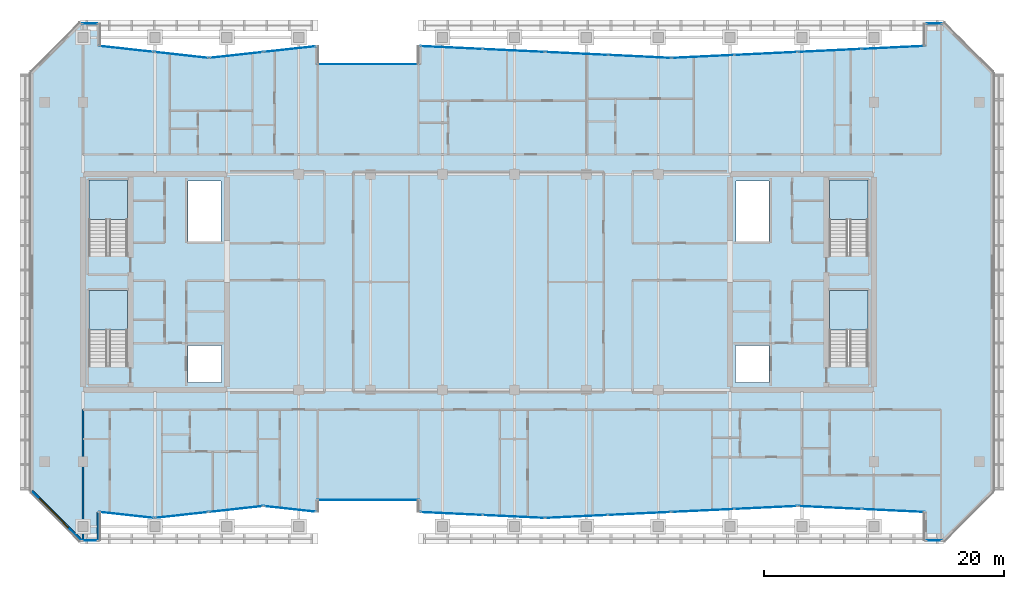
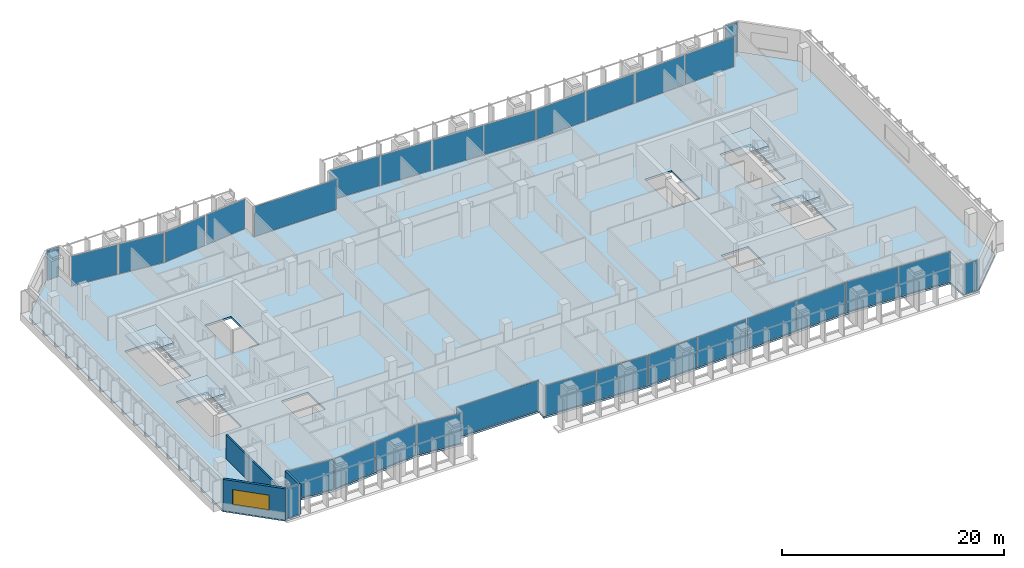
# One storey, part 18 of 29: 30 plates, 5 slabs, 3 walls, 1 window, 1 opening, 26 elements without a shape of their own.
"""IFC4 building model written with IfcOpenShell, lengths in metres."""

from ifc_helpers import new_model, si_unit, direction, frame, frame_2d, origin, origin_2d, place, context, subcontext, project, spatial, polyline, rectangle, outline, extrude, material, layer, layer_set, type_object, element, fill, aggregate, save


model = new_model("IFC4")

# Units and contexts
model_context = context("Model", 3, precision=1e-05, world=origin(), true_north=direction((0.0, 1.0)))
body_context = subcontext(model_context, "Body", "Model", "MODEL_VIEW")
ifc_project = project(units=[si_unit("LENGTHUNIT", "METRE"), si_unit("AREAUNIT", "SQUARE_METRE"), si_unit("VOLUMEUNIT", "CUBIC_METRE"), si_unit("PLANEANGLEUNIT", "RADIAN"), si_unit("MASSUNIT", "GRAM", prefix="KILO")], contexts=[model_context])

# Site, building, storey
site_placement = place(None, origin())
site = spatial("IfcSite", under=ifc_project, at=site_placement, CompositionType="ELEMENT")
building_placement = place(site_placement, origin())
building = spatial("IfcBuilding", under=site, at=building_placement, Name="Tanjung Sevakor Pilgrim Tower", CompositionType="ELEMENT")
storey_placement = place(building_placement, frame((0.0, 0.0, 162.030029296875)))
storey = spatial("IfcBuildingStorey", under=building, at=storey_placement, Name="L45", CompositionType="ELEMENT", Elevation=162.030029296875)

# Stair, slab
ifc_material_1 = material(Name="Concrete C40/50", Category="concrete")
stair_type = type_object("IfcStairType", Name="STAIR-ST-CR150", PredefinedType="HALF_TURN_STAIR", material=ifc_material_1)
stair_1_placement = place(storey_placement, origin())
stair_1 = element("IfcStair", 1, at=stair_1_placement, inside=storey, type_object=stair_type, Name="L45 West Core Exit Stair 1", PredefinedType="HALF_TURN_STAIR")
ifc_material_2 = material(Name="Concrete C40/50", Category="concrete")
ifc_layer_1 = layer(ifc_material_2, 0.199951171875)
ifc_layer_set_1 = layer_set([ifc_layer_1], Name="SL-LAND-200")
slab_type_1 = type_object("IfcSlabType", Name="SL-LAND-200", PredefinedType="LANDING", material=ifc_layer_set_1)
slab_1_placement = place(storey_placement, frame((0.0, 0.0, 1.614990234375)))
slab_1 = element("IfcSlab", 2, at=slab_1_placement, type_object=slab_type_1, Name="TS-W1 landing 1", PredefinedType="LANDING", context=body_context, shape_type="SweptSolid", body=[
    extrude(outline(polyline([(27.699951171875, 29.60009765625), (27.699951171875, 32.89990234375), (24.5, 32.89990234375), (24.5, 29.60009765625), (27.699951171875, 29.60009765625)])), origin(), (0.0, 0.0, 1.0), 0.199951171875),
])
aggregate(stair_1, [slab_1])

stair_2_placement = place(storey_placement, origin())
stair_2 = element("IfcStair", 3, at=stair_2_placement, inside=storey, type_object=stair_type, Name="L45 West Core Exit Stair 2", PredefinedType="HALF_TURN_STAIR")
slab_2_placement = place(storey_placement, frame((0.0, 0.0, 1.614990234375)))
slab_2 = element("IfcSlab", 4, at=slab_2_placement, type_object=slab_type_1, Name="TS-W2 landing 1", PredefinedType="LANDING", context=body_context, shape_type="SweptSolid", body=[
    extrude(outline(polyline([(27.699951171875, 38.800048828125), (27.699951171875, 42.10009765625), (24.5, 42.10009765625), (24.5, 38.800048828125), (27.699951171875, 38.800048828125)])), origin(), (0.0, 0.0, 1.0), 0.199951171875),
])
aggregate(stair_2, [slab_2])

stair_3_placement = place(storey_placement, origin())
stair_3 = element("IfcStair", 5, at=stair_3_placement, inside=storey, type_object=stair_type, Name="L45 East Core Exit Stair 1", PredefinedType="HALF_TURN_STAIR")
slab_3_placement = place(storey_placement, frame((0.0, 0.0, 1.614990234375)))
slab_3 = element("IfcSlab", 6, at=slab_3_placement, type_object=slab_type_1, Name="TS-E1 landing 1", PredefinedType="LANDING", context=body_context, shape_type="SweptSolid", body=[
    extrude(outline(polyline([(89.5, 29.60009765625), (89.5, 32.89990234375), (86.300048828125, 32.89990234375), (86.300048828125, 29.60009765625), (89.5, 29.60009765625)])), origin(), (0.0, 0.0, 1.0), 0.199951171875),
])
aggregate(stair_3, [slab_3])

stair_4_placement = place(storey_placement, origin())
stair_4 = element("IfcStair", 7, at=stair_4_placement, inside=storey, type_object=stair_type, Name="L45 East Core Exit Stair 2", PredefinedType="HALF_TURN_STAIR")
slab_4_placement = place(storey_placement, frame((0.0, 0.0, 1.614990234375)))
slab_4 = element("IfcSlab", 8, at=slab_4_placement, type_object=slab_type_1, Name="TS-E2 landing 1", PredefinedType="LANDING", context=body_context, shape_type="SweptSolid", body=[
    extrude(outline(polyline([(89.5, 38.800048828125), (89.5, 42.10009765625), (86.300048828125, 42.10009765625), (86.300048828125, 38.800048828125), (89.5, 38.800048828125)])), origin(), (0.0, 0.0, 1.0), 0.199951171875),
])
aggregate(stair_4, [slab_4])

# Slab
ifc_material_3 = material(Name="Concrete C40/50", Category="concrete")
ifc_layer_2 = layer(ifc_material_3, 0.219970703125)
ifc_layer_set_2 = layer_set([ifc_layer_2], Name="SL-TWR-220")
slab_type_2 = type_object("IfcSlabType", Name="SL-TWR-220", PredefinedType="FLOOR", material=ifc_layer_set_2)
slab_5_placement = place(storey_placement, frame((0.0, 0.0, -0.219970703125)))
element("IfcSlab", 9, at=slab_5_placement, inside=storey, type_object=slab_type_2, Name="L45 Floor Slab MAIN", PredefinedType="FLOOR", context=body_context, shape_type="SweptSolid", body=[
    extrude(outline(polyline([(23.846923828125, 11.97998046875), (25.320068359375, 11.97998046875), (25.39990234375, 14.360107421875), (29.949951171875, 13.860107421875), (34.5, 14.360107421875), (39.050048828125, 14.860107421875), (43.60009765625, 14.360107421875), (43.52001953125, 15.3798828125), (52.080078125, 15.3798828125), (52.0, 14.360107421875), (62.550048828125, 13.860107421875), (73.10009765625, 14.360107421875), (83.64990234375, 14.860107421875), (94.199951171875, 14.360107421875), (94.280029296875, 11.97998046875), (95.753173828125, 11.97998046875), (99.919921875, 16.14697265625), (99.919921875, 51.052978515625), (95.753173828125, 55.219970703125), (94.280029296875, 55.219970703125), (94.199951171875, 53.340087890625), (83.64990234375, 52.840087890625), (73.10009765625, 52.340087890625), (62.550048828125, 52.840087890625), (52.0, 53.340087890625), (52.080078125, 51.820068359375), (43.52001953125, 51.820068359375), (43.60009765625, 53.340087890625), (39.050048828125, 52.840087890625), (34.5, 52.340087890625), (29.949951171875, 52.840087890625), (25.39990234375, 53.340087890625), (25.320068359375, 55.219970703125), (23.846923828125, 55.219970703125), (19.679931640625, 51.052978515625), (19.679931640625, 16.14697265625), (23.846923828125, 11.97998046875)]), holes=[polyline([(27.699951171875, 26.60009765625), (27.699951171875, 32.89990234375), (24.5, 32.89990234375), (24.5, 26.60009765625), (27.699951171875, 26.60009765625)]), polyline([(27.699951171875, 35.800048828125), (27.699951171875, 42.10009765625), (24.5, 42.10009765625), (24.5, 35.800048828125), (27.699951171875, 35.800048828125)]), polyline([(89.5, 26.60009765625), (89.5, 32.89990234375), (86.300048828125, 32.89990234375), (86.300048828125, 26.60009765625), (89.5, 26.60009765625)]), polyline([(89.5, 35.800048828125), (89.5, 42.10009765625), (86.300048828125, 42.10009765625), (86.300048828125, 35.800048828125), (89.5, 35.800048828125)]), polyline([(32.75, 25.199951171875), (35.550048828125, 25.199951171875), (35.550048828125, 28.300048828125), (32.75, 28.300048828125), (32.75, 25.199951171875)]), polyline([(32.75, 37.0), (35.5, 37.0), (35.5, 42.050048828125), (32.75, 42.050048828125), (32.75, 37.0)]), polyline([(78.449951171875, 25.199951171875), (81.25, 25.199951171875), (81.25, 28.300048828125), (78.449951171875, 28.300048828125), (78.449951171875, 25.199951171875)]), polyline([(78.5, 37.0), (81.25, 37.0), (81.25, 42.050048828125), (78.5, 42.050048828125), (78.5, 37.0)])]), origin(), (0.0, 0.0, 1.0), 0.219970703125),
])

# Curtain wall, plate
ifc_material_4 = material(Name="Aluminium 6063-T6 and Low-E Glass", Category="aluminium")
ifc_layer_3 = layer(ifc_material_4, 0.179931640625)
ifc_layer_set_3 = layer_set([ifc_layer_3], Name="CW-SYS-CLEFT")
curtain_wall_type_1 = type_object("IfcCurtainWallType", Name="CW-SYS-CLEFT", PredefinedType="NOTDEFINED", material=ifc_layer_set_3)
curtain_wall_1_placement = place(storey_placement, origin())
curtain_wall_1 = element("IfcCurtainWall", 10, at=curtain_wall_1_placement, inside=storey, type_object=curtain_wall_type_1, Name="L45 Curtain Wall CW-CLF-L45-7", PredefinedType="NOTDEFINED")
ifc_material_5 = material(Name="Laminated Low-E Double Glazing", Category="glass")
ifc_layer_4 = layer(ifc_material_5, 0.028076171875)
ifc_layer_set_4 = layer_set([ifc_layer_4], Name="TYPE-CWP-GLZ1")
plate_type_1 = type_object("IfcPlateType", Name="TYPE-CWP-GLZ1", PredefinedType="CURTAIN_PANEL", material=ifc_layer_set_4)
plate_1_placement = place(storey_placement, frame((47.800048828125, 15.425048828125, 0.06494140625), z_axis=(0.0, 0.0, 1.0), x_axis=(1.0, 0.0, 0.0)))
plate_1 = element("IfcPlate", 11, at=plate_1_placement, type_object=plate_type_1, Name="CW-CLF panel 1.1", PredefinedType="CURTAIN_PANEL", context=body_context, shape_type="SweptSolid", body=[
    extrude(rectangle(XDim=8.5, YDim=0.028076171875, at=origin_2d()), origin(), (0.0, 0.0, 1.0), 3.280029296875),
])
aggregate(curtain_wall_1, [plate_1])

curtain_wall_2_placement = place(storey_placement, origin())
curtain_wall_2 = element("IfcCurtainWall", 12, at=curtain_wall_2_placement, inside=storey, type_object=curtain_wall_type_1, Name="L45 Curtain Wall CW-CLF-L45-25", PredefinedType="NOTDEFINED")
plate_2_placement = place(storey_placement, frame((47.800048828125, 51.77490234375, 0.06494140625), z_axis=(0.0, 0.0, 1.0), x_axis=(-1.0, 0.0, 0.0)))
plate_2 = element("IfcPlate", 13, at=plate_2_placement, type_object=plate_type_1, Name="CW-CLF panel 1.1", PredefinedType="CURTAIN_PANEL", context=body_context, shape_type="SweptSolid", body=[
    extrude(rectangle(XDim=8.5, YDim=0.028076171875, at=origin_2d()), origin(), (0.0, 0.0, 1.0), 3.280029296875),
])
aggregate(curtain_wall_2, [plate_2])

ifc_material_6 = material(Name="Aluminium 6063-T6 and Low-E Glass", Category="aluminium")
ifc_layer_5 = layer(ifc_material_6, 0.199951171875)
ifc_layer_set_5 = layer_set([ifc_layer_5], Name="CW-SYS-PRAY")
curtain_wall_type_2 = type_object("IfcCurtainWallType", Name="CW-SYS-PRAY", PredefinedType="NOTDEFINED", material=ifc_layer_set_5)
curtain_wall_3_placement = place(storey_placement, origin())
curtain_wall_3 = element("IfcCurtainWall", 14, at=curtain_wall_3_placement, inside=storey, type_object=curtain_wall_type_2, Name="L45 Curtain Wall CW-PRY-L45-0", PredefinedType="NOTDEFINED")
ifc_material_7 = material(Name="Solar-Control Low-E Acoustic Glazing", Category="glass")
ifc_layer_6 = layer(ifc_material_7, 0.031982421875)
ifc_layer_set_6 = layer_set([ifc_layer_6], Name="TYPE-CWP-GLZ2")
plate_type_2 = type_object("IfcPlateType", Name="TYPE-CWP-GLZ2", PredefinedType="CURTAIN_PANEL", material=ifc_layer_set_6)
plate_3_placement = place(storey_placement, frame((24.5634765625, 12.02490234375, 0.0751953125), z_axis=(0.0, 0.0, 1.0), x_axis=(1.0, 0.0, 0.0)))
plate_3 = element("IfcPlate", 15, at=plate_3_placement, type_object=plate_type_2, Name="CW-PRY panel 1.1", PredefinedType="CURTAIN_PANEL", context=body_context, shape_type="SweptSolid", body=[
    extrude(rectangle(XDim=1.273193359375, YDim=0.031982421875, at=origin_2d()), origin(), (0.0, 0.0, 1.0), 3.260009765625),
])
aggregate(curtain_wall_3, [plate_3])

curtain_wall_4_placement = place(storey_placement, origin())
curtain_wall_4 = element("IfcCurtainWall", 16, at=curtain_wall_4_placement, inside=storey, type_object=curtain_wall_type_2, Name="L45 Curtain Wall CW-PRY-L45-2", PredefinedType="NOTDEFINED")
plate_4_placement = place(storey_placement, frame((27.612548828125, 14.16259765625, 0.0751953125), z_axis=(0.0, 0.0, 1.0), x_axis=(0.994017059179, -0.109224933332, 0.0)))
plate_4 = element("IfcPlate", 17, at=plate_4_placement, type_object=plate_type_2, Name="CW-PRY panel 1.1", PredefinedType="CURTAIN_PANEL", context=body_context, shape_type="SweptSolid", body=[
    extrude(rectangle(XDim=4.55322265625, YDim=0.031982421875, at=origin_2d()), origin(), (0.0, 0.0, 1.0), 3.260009765625),
])
aggregate(curtain_wall_4, [plate_4])

curtain_wall_5_placement = place(storey_placement, origin())
curtain_wall_5 = element("IfcCurtainWall", 18, at=curtain_wall_5_placement, inside=storey, type_object=curtain_wall_type_2, Name="L45 Curtain Wall CW-PRY-L45-3", PredefinedType="NOTDEFINED")
plate_5_placement = place(storey_placement, frame((32.21826171875, 14.155029296875, 0.0751953125), z_axis=(0.0, 0.0, 1.0), x_axis=(0.994016091278, 0.109233741488, 0.0)))
plate_5 = element("IfcPlate", 19, at=plate_5_placement, type_object=plate_type_2, Name="CW-PRY panel 1.1", PredefinedType="CURTAIN_PANEL", context=body_context, shape_type="SweptSolid", body=[
    extrude(rectangle(XDim=4.41357421875, YDim=0.031982421875, at=origin_2d()), origin(), (0.0, 0.0, 1.0), 3.260009765625),
])
aggregate(curtain_wall_5, [plate_5])

curtain_wall_6_placement = place(storey_placement, origin())
curtain_wall_6 = element("IfcCurtainWall", 20, at=curtain_wall_6_placement, inside=storey, type_object=curtain_wall_type_2, Name="L45 Curtain Wall CW-PRY-L45-4", PredefinedType="NOTDEFINED")
plate_6_placement = place(storey_placement, frame((36.76806640625, 14.655029296875, 0.0751953125), z_axis=(0.0, 0.0, 1.0), x_axis=(0.994016351948, 0.109231369397, 0.0)))
plate_6 = element("IfcPlate", 21, at=plate_6_placement, type_object=plate_type_2, Name="CW-PRY panel 1.1", PredefinedType="CURTAIN_PANEL", context=body_context, shape_type="SweptSolid", body=[
    extrude(rectangle(XDim=4.441162109375, YDim=0.031982421875, at=origin_2d()), origin(), (0.0, 0.0, 1.0), 3.260009765625),
])
aggregate(curtain_wall_6, [plate_6])

curtain_wall_7_placement = place(storey_placement, origin())
curtain_wall_7 = element("IfcCurtainWall", 22, at=curtain_wall_7_placement, inside=storey, type_object=curtain_wall_type_2, Name="L45 Curtain Wall CW-PRY-L45-5", PredefinedType="NOTDEFINED")
plate_7_placement = place(storey_placement, frame((41.262451171875, 14.66259765625, 0.0751953125), z_axis=(0.0, 0.0, 1.0), x_axis=(0.994015337473, -0.109240600824, 0.0)))
plate_7 = element("IfcPlate", 23, at=plate_7_placement, type_object=plate_type_2, Name="CW-PRY panel 1.1", PredefinedType="CURTAIN_PANEL", context=body_context, shape_type="SweptSolid", body=[
    extrude(rectangle(XDim=4.3017578125, YDim=0.031982421875, at=origin_2d()), origin(), (0.0, 0.0, 1.0), 3.260009765625),
])
aggregate(curtain_wall_7, [plate_7])

# Curtain wall, plates
curtain_wall_8_placement = place(storey_placement, origin())
curtain_wall_8 = element("IfcCurtainWall", 24, at=curtain_wall_8_placement, inside=storey, type_object=curtain_wall_type_2, Name="L45 Curtain Wall CW-PRY-L45-9", PredefinedType="NOTDEFINED")
plate_8_placement = place(storey_placement, frame((54.75, 14.27490234375, 0.0751953125), z_axis=(0.0, 0.0, 1.0), x_axis=(0.998878713344, -0.047342539306, 0.0)))
plate_8 = element("IfcPlate", 25, at=plate_8_placement, type_object=plate_type_2, Name="CW-PRY panel 1.1", PredefinedType="CURTAIN_PANEL", context=body_context, shape_type="SweptSolid", body=[
    extrude(rectangle(XDim=5.10595703125, YDim=0.031982421875, at=origin_2d()), origin(), (0.0, 0.0, 1.0), 3.260009765625),
])
plate_9_placement = place(storey_placement, frame((59.925048828125, 14.029541015625, 0.0751953125), z_axis=(0.0, 0.0, 1.0), x_axis=(0.998878713344, -0.047342539306, 0.0)))
plate_9 = element("IfcPlate", 26, at=plate_9_placement, type_object=plate_type_2, Name="CW-PRY panel 2.1", PredefinedType="CURTAIN_PANEL", context=body_context, shape_type="SweptSolid", body=[
    extrude(rectangle(XDim=5.10595703125, YDim=0.031982421875, at=origin_2d()), origin(), (0.0, 0.0, 1.0), 3.260009765625),
])
aggregate(curtain_wall_8, [plate_8, plate_9])

curtain_wall_9_placement = place(storey_placement, origin())
curtain_wall_9 = element("IfcCurtainWall", 27, at=curtain_wall_9_placement, inside=storey, type_object=curtain_wall_type_2, Name="L45 Curtain Wall CW-PRY-L45-10", PredefinedType="NOTDEFINED")
plate_10_placement = place(storey_placement, frame((65.204833984375, 14.031005859375, 0.0751953125), z_axis=(0.0, 0.0, 1.0), x_axis=(0.998878466157, 0.047347754412, 0.0)))
plate_10 = element("IfcPlate", 28, at=plate_10_placement, type_object=plate_type_2, Name="CW-PRY panel 1.1", PredefinedType="CURTAIN_PANEL", context=body_context, shape_type="SweptSolid", body=[
    extrude(rectangle(XDim=5.16552734375, YDim=0.031982421875, at=origin_2d()), origin(), (0.0, 0.0, 1.0), 3.260009765625),
])
plate_11_placement = place(storey_placement, frame((70.439453125, 14.279052734375, 0.0751953125), z_axis=(0.0, 0.0, 1.0), x_axis=(0.998878466157, 0.047347754412, 0.0)))
plate_11 = element("IfcPlate", 29, at=plate_11_placement, type_object=plate_type_2, Name="CW-PRY panel 2.1", PredefinedType="CURTAIN_PANEL", context=body_context, shape_type="SweptSolid", body=[
    extrude(rectangle(XDim=5.16552734375, YDim=0.031982421875, at=origin_2d()), origin(), (0.0, 0.0, 1.0), 3.260009765625),
])
aggregate(curtain_wall_9, [plate_10, plate_11])

curtain_wall_10_placement = place(storey_placement, origin())
curtain_wall_10 = element("IfcCurtainWall", 30, at=curtain_wall_10_placement, inside=storey, type_object=curtain_wall_type_2, Name="L45 Curtain Wall CW-PRY-L45-11", PredefinedType="NOTDEFINED")
plate_12_placement = place(storey_placement, frame((75.751708984375, 14.53076171875, 0.0751953125), z_axis=(0.0, 0.0, 1.0), x_axis=(0.998879179109, 0.04733271113, 0.0)))
plate_12 = element("IfcPlate", 31, at=plate_12_placement, type_object=plate_type_2, Name="CW-PRY panel 1.1", PredefinedType="CURTAIN_PANEL", context=body_context, shape_type="SweptSolid", body=[
    extrude(rectangle(XDim=5.17138671875, YDim=0.031982421875, at=origin_2d()), origin(), (0.0, 0.0, 1.0), 3.260009765625),
])
plate_13_placement = place(storey_placement, frame((80.9921875, 14.779052734375, 0.0751953125), z_axis=(0.0, 0.0, 1.0), x_axis=(0.998879179109, 0.04733271113, 0.0)))
plate_13 = element("IfcPlate", 32, at=plate_13_placement, type_object=plate_type_2, Name="CW-PRY panel 2.1", PredefinedType="CURTAIN_PANEL", context=body_context, shape_type="SweptSolid", body=[
    extrude(rectangle(XDim=5.17138671875, YDim=0.031982421875, at=origin_2d()), origin(), (0.0, 0.0, 1.0), 3.260009765625),
])
aggregate(curtain_wall_10, [plate_12, plate_13])

curtain_wall_11_placement = place(storey_placement, origin())
curtain_wall_11 = element("IfcCurtainWall", 33, at=curtain_wall_11_placement, inside=storey, type_object=curtain_wall_type_2, Name="L45 Curtain Wall CW-PRY-L45-12", PredefinedType="NOTDEFINED")
plate_14_placement = place(storey_placement, frame((86.33740234375, 14.77783203125, 0.0751953125), z_axis=(0.0, 0.0, 1.0), x_axis=(0.998878929807, -0.04733797195, 0.0)))
plate_14 = element("IfcPlate", 34, at=plate_14_placement, type_object=plate_type_2, Name="CW-PRY panel 1.1", PredefinedType="CURTAIN_PANEL", context=body_context, shape_type="SweptSolid", body=[
    extrude(rectangle(XDim=5.23095703125, YDim=0.031982421875, at=origin_2d()), origin(), (0.0, 0.0, 1.0), 3.260009765625),
])
plate_15_placement = place(storey_placement, frame((91.637451171875, 14.526611328125, 0.0751953125), z_axis=(0.0, 0.0, 1.0), x_axis=(0.998878929807, -0.04733797195, 0.0)))
plate_15 = element("IfcPlate", 35, at=plate_15_placement, type_object=plate_type_2, Name="CW-PRY panel 2.1", PredefinedType="CURTAIN_PANEL", context=body_context, shape_type="SweptSolid", body=[
    extrude(rectangle(XDim=5.23095703125, YDim=0.031982421875, at=origin_2d()), origin(), (0.0, 0.0, 1.0), 3.260009765625),
])
aggregate(curtain_wall_11, [plate_14, plate_15])

# Curtain wall, plate
curtain_wall_12_placement = place(storey_placement, origin())
curtain_wall_12 = element("IfcCurtainWall", 36, at=curtain_wall_12_placement, inside=storey, type_object=curtain_wall_type_2, Name="L45 Curtain Wall CW-PRY-L45-14", PredefinedType="NOTDEFINED")
plate_16_placement = place(storey_placement, frame((95.03662109375, 12.02490234375, 0.0751953125), z_axis=(0.0, 0.0, 1.0), x_axis=(1.0, 0.0, 0.0)))
plate_16 = element("IfcPlate", 37, at=plate_16_placement, type_object=plate_type_2, Name="CW-PRY panel 1.1", PredefinedType="CURTAIN_PANEL", context=body_context, shape_type="SweptSolid", body=[
    extrude(rectangle(XDim=1.273193359375, YDim=0.031982421875, at=origin_2d()), origin(), (0.0, 0.0, 1.0), 3.260009765625),
])
aggregate(curtain_wall_12, [plate_16])

curtain_wall_13_placement = place(storey_placement, origin())
curtain_wall_13 = element("IfcCurtainWall", 38, at=curtain_wall_13_placement, inside=storey, type_object=curtain_wall_type_2, Name="L45 Curtain Wall CW-PRY-L45-18", PredefinedType="NOTDEFINED")
plate_17_placement = place(storey_placement, frame((95.03662109375, 55.175048828125, 0.0751953125), z_axis=(0.0, 0.0, 1.0), x_axis=(-1.0, 0.0, 0.0)))
plate_17 = element("IfcPlate", 39, at=plate_17_placement, type_object=plate_type_2, Name="CW-PRY panel 1.1", PredefinedType="CURTAIN_PANEL", context=body_context, shape_type="SweptSolid", body=[
    extrude(rectangle(XDim=1.273193359375, YDim=0.031982421875, at=origin_2d()), origin(), (0.0, 0.0, 1.0), 3.260009765625),
])
aggregate(curtain_wall_13, [plate_17])

# Curtain wall, plates
curtain_wall_14_placement = place(storey_placement, origin())
curtain_wall_14 = element("IfcCurtainWall", 40, at=curtain_wall_14_placement, inside=storey, type_object=curtain_wall_type_2, Name="L45 Curtain Wall CW-PRY-L45-20", PredefinedType="NOTDEFINED")
plate_18_placement = place(storey_placement, frame((91.638916015625, 53.173583984375, 0.0751953125), z_axis=(0.0, 0.0, 1.0), x_axis=(-0.998878577359, -0.047345408374, 0.0)))
plate_18 = element("IfcPlate", 41, at=plate_18_placement, type_object=plate_type_2, Name="CW-PRY panel 1.1", PredefinedType="CURTAIN_PANEL", context=body_context, shape_type="SweptSolid", body=[
    extrude(rectangle(XDim=5.22802734375, YDim=0.031982421875, at=origin_2d()), origin(), (0.0, 0.0, 1.0), 3.260009765625),
])
plate_19_placement = place(storey_placement, frame((86.341796875, 52.92236328125, 0.0751953125), z_axis=(0.0, 0.0, 1.0), x_axis=(-0.998878577359, -0.047345408374, 0.0)))
plate_19 = element("IfcPlate", 42, at=plate_19_placement, type_object=plate_type_2, Name="CW-PRY panel 2.1", PredefinedType="CURTAIN_PANEL", context=body_context, shape_type="SweptSolid", body=[
    extrude(rectangle(XDim=5.22802734375, YDim=0.031982421875, at=origin_2d()), origin(), (0.0, 0.0, 1.0), 3.260009765625),
])
aggregate(curtain_wall_14, [plate_18, plate_19])

curtain_wall_15_placement = place(storey_placement, origin())
curtain_wall_15 = element("IfcCurtainWall", 43, at=curtain_wall_15_placement, inside=storey, type_object=curtain_wall_type_2, Name="L45 Curtain Wall CW-PRY-L45-21", PredefinedType="NOTDEFINED")
plate_20_placement = place(storey_placement, frame((80.998291015625, 52.669189453125, 0.0751953125), z_axis=(0.0, 0.0, 1.0), x_axis=(-0.998879179109, -0.04733271113, 0.0)))
plate_20 = element("IfcPlate", 44, at=plate_20_placement, type_object=plate_type_2, Name="CW-PRY panel 1.1", PredefinedType="CURTAIN_PANEL", context=body_context, shape_type="SweptSolid", body=[
    extrude(rectangle(XDim=5.17138671875, YDim=0.031982421875, at=origin_2d()), origin(), (0.0, 0.0, 1.0), 3.260009765625),
])
plate_21_placement = place(storey_placement, frame((75.7578125, 52.4208984375, 0.0751953125), z_axis=(0.0, 0.0, 1.0), x_axis=(-0.998879179109, -0.04733271113, 0.0)))
plate_21 = element("IfcPlate", 45, at=plate_21_placement, type_object=plate_type_2, Name="CW-PRY panel 2.1", PredefinedType="CURTAIN_PANEL", context=body_context, shape_type="SweptSolid", body=[
    extrude(rectangle(XDim=5.17138671875, YDim=0.031982421875, at=origin_2d()), origin(), (0.0, 0.0, 1.0), 3.260009765625),
])
aggregate(curtain_wall_15, [plate_20, plate_21])

curtain_wall_16_placement = place(storey_placement, origin())
curtain_wall_16 = element("IfcCurtainWall", 46, at=curtain_wall_16_placement, inside=storey, type_object=curtain_wall_type_2, Name="L45 Curtain Wall CW-PRY-L45-22", PredefinedType="NOTDEFINED")
plate_22_placement = place(storey_placement, frame((70.4423828125, 52.4208984375, 0.0751953125), z_axis=(0.0, 0.0, 1.0), x_axis=(-0.998879179109, 0.04733271113, 0.0)))
plate_22 = element("IfcPlate", 47, at=plate_22_placement, type_object=plate_type_2, Name="CW-PRY panel 1.1", PredefinedType="CURTAIN_PANEL", context=body_context, shape_type="SweptSolid", body=[
    extrude(rectangle(XDim=5.17138671875, YDim=0.031982421875, at=origin_2d()), origin(), (0.0, 0.0, 1.0), 3.260009765625),
])
plate_23_placement = place(storey_placement, frame((65.201904296875, 52.669189453125, 0.0751953125), z_axis=(0.0, 0.0, 1.0), x_axis=(-0.998879179109, 0.04733271113, 0.0)))
plate_23 = element("IfcPlate", 48, at=plate_23_placement, type_object=plate_type_2, Name="CW-PRY panel 2.1", PredefinedType="CURTAIN_PANEL", context=body_context, shape_type="SweptSolid", body=[
    extrude(rectangle(XDim=5.17138671875, YDim=0.031982421875, at=origin_2d()), origin(), (0.0, 0.0, 1.0), 3.260009765625),
])
aggregate(curtain_wall_16, [plate_22, plate_23])

curtain_wall_17_placement = place(storey_placement, origin())
curtain_wall_17 = element("IfcCurtainWall", 49, at=curtain_wall_17_placement, inside=storey, type_object=curtain_wall_type_2, Name="L45 Curtain Wall CW-PRY-L45-23", PredefinedType="NOTDEFINED")
plate_24_placement = place(storey_placement, frame((59.920654296875, 52.91943359375, 0.0751953125), z_axis=(0.0, 0.0, 1.0), x_axis=(-0.998878805672, 0.047340591245, 0.0)))
plate_24 = element("IfcPlate", 50, at=plate_24_placement, type_object=plate_type_2, Name="CW-PRY panel 1.1", PredefinedType="CURTAIN_PANEL", context=body_context, shape_type="SweptSolid", body=[
    extrude(rectangle(XDim=5.102783203125, YDim=0.031982421875, at=origin_2d()), origin(), (0.0, 0.0, 1.0), 3.260009765625),
])
plate_25_placement = place(storey_placement, frame((54.74853515625, 53.16455078125, 0.0751953125), z_axis=(0.0, 0.0, 1.0), x_axis=(-0.998878805672, 0.047340591245, 0.0)))
plate_25 = element("IfcPlate", 51, at=plate_25_placement, type_object=plate_type_2, Name="CW-PRY panel 2.1", PredefinedType="CURTAIN_PANEL", context=body_context, shape_type="SweptSolid", body=[
    extrude(rectangle(XDim=5.102783203125, YDim=0.031982421875, at=origin_2d()), origin(), (0.0, 0.0, 1.0), 3.260009765625),
])
aggregate(curtain_wall_17, [plate_24, plate_25])

# Curtain wall, plate
curtain_wall_18_placement = place(storey_placement, origin())
curtain_wall_18 = element("IfcCurtainWall", 52, at=curtain_wall_18_placement, inside=storey, type_object=curtain_wall_type_2, Name="L45 Curtain Wall CW-PRY-L45-27", PredefinedType="NOTDEFINED")
plate_26_placement = place(storey_placement, frame((41.269287109375, 53.0380859375, 0.0751953125), z_axis=(0.0, 0.0, 1.0), x_axis=(-0.994015200284, -0.109241849142, 0.0)))
plate_26 = element("IfcPlate", 53, at=plate_26_placement, type_object=plate_type_2, Name="CW-PRY panel 1.1", PredefinedType="CURTAIN_PANEL", context=body_context, shape_type="SweptSolid", body=[
    extrude(rectangle(XDim=4.287841796875, YDim=0.031982421875, at=origin_2d()), origin(), (0.0, 0.0, 1.0), 3.260009765625),
])
aggregate(curtain_wall_18, [plate_26])

curtain_wall_19_placement = place(storey_placement, origin())
curtain_wall_19 = element("IfcCurtainWall", 54, at=curtain_wall_19_placement, inside=storey, type_object=curtain_wall_type_2, Name="L45 Curtain Wall CW-PRY-L45-28", PredefinedType="NOTDEFINED")
plate_27_placement = place(storey_placement, frame((36.78173828125, 52.544921875, 0.0751953125), z_axis=(0.0, 0.0, 1.0), x_axis=(-0.994016351948, -0.109231369397, 0.0)))
plate_27 = element("IfcPlate", 55, at=plate_27_placement, type_object=plate_type_2, Name="CW-PRY panel 1.1", PredefinedType="CURTAIN_PANEL", context=body_context, shape_type="SweptSolid", body=[
    extrude(rectangle(XDim=4.441162109375, YDim=0.031982421875, at=origin_2d()), origin(), (0.0, 0.0, 1.0), 3.260009765625),
])
aggregate(curtain_wall_19, [plate_27])

curtain_wall_20_placement = place(storey_placement, origin())
curtain_wall_20 = element("IfcCurtainWall", 56, at=curtain_wall_20_placement, inside=storey, type_object=curtain_wall_type_2, Name="L45 Curtain Wall CW-PRY-L45-29", PredefinedType="NOTDEFINED")
plate_28_placement = place(storey_placement, frame((32.21826171875, 52.544921875, 0.0751953125), z_axis=(0.0, 0.0, 1.0), x_axis=(-0.994016351948, 0.109231369397, 0.0)))
plate_28 = element("IfcPlate", 57, at=plate_28_placement, type_object=plate_type_2, Name="CW-PRY panel 1.1", PredefinedType="CURTAIN_PANEL", context=body_context, shape_type="SweptSolid", body=[
    extrude(rectangle(XDim=4.441162109375, YDim=0.031982421875, at=origin_2d()), origin(), (0.0, 0.0, 1.0), 3.260009765625),
])
aggregate(curtain_wall_20, [plate_28])

curtain_wall_21_placement = place(storey_placement, origin())
curtain_wall_21 = element("IfcCurtainWall", 58, at=curtain_wall_21_placement, inside=storey, type_object=curtain_wall_type_2, Name="L45 Curtain Wall CW-PRY-L45-30", PredefinedType="NOTDEFINED")
plate_29_placement = place(storey_placement, frame((27.605712890625, 53.0517578125, 0.0751953125), z_axis=(0.0, 0.0, 1.0), x_axis=(-0.99401461891, 0.109247139061, 0.0)))
plate_29 = element("IfcPlate", 59, at=plate_29_placement, type_object=plate_type_2, Name="CW-PRY panel 1.1", PredefinedType="CURTAIN_PANEL", context=body_context, shape_type="SweptSolid", body=[
    extrude(rectangle(XDim=4.539306640625, YDim=0.031982421875, at=origin_2d()), origin(), (0.0, 0.0, 1.0), 3.260009765625),
])
aggregate(curtain_wall_21, [plate_29])

curtain_wall_22_placement = place(storey_placement, origin())
curtain_wall_22 = element("IfcCurtainWall", 60, at=curtain_wall_22_placement, inside=storey, type_object=curtain_wall_type_2, Name="L45 Curtain Wall CW-PRY-L45-32", PredefinedType="NOTDEFINED")
plate_30_placement = place(storey_placement, frame((24.5634765625, 55.175048828125, 0.0751953125), z_axis=(0.0, 0.0, 1.0), x_axis=(-1.0, 0.0, 0.0)))
plate_30 = element("IfcPlate", 61, at=plate_30_placement, type_object=plate_type_2, Name="CW-PRY panel 1.1", PredefinedType="CURTAIN_PANEL", context=body_context, shape_type="SweptSolid", body=[
    extrude(rectangle(XDim=1.273193359375, YDim=0.031982421875, at=origin_2d()), origin(), (0.0, 0.0, 1.0), 3.260009765625),
])
aggregate(curtain_wall_22, [plate_30])

# Walls
ifc_material_8 = material(Name="Concrete C40/50", Category="concrete")
ifc_layer_7 = layer(ifc_material_8, 0.14990234375)
ifc_layer_set_7 = layer_set([ifc_layer_7], Name="WT-COMP-150")
wall_type_1 = type_object("IfcWallType", Name="WT-COMP-150", PredefinedType="SOLIDWALL", material=ifc_layer_set_7)
wall_1_placement = place(storey_placement, frame((24.0, 12.02490234375, 0.0), z_axis=(0.0, 0.0, 1.0), x_axis=(0.0, 1.0, 0.0)))
element("IfcWall", 62, at=wall_1_placement, inside=storey, type_object=wall_type_1, Name="L45 Partition IW-L45-059", PredefinedType="SOLIDWALL", context=body_context, shape_type="SweptSolid", body=[
    extrude(rectangle(XDim=10.925048828125, YDim=0.14990234375, at=frame_2d((5.46240234375, 0.0))), origin(), (0.0, 0.0, 1.0), 2.6298828125),
])
ifc_material_9 = material(Name="Precast concrete C45/55", Category="concrete")
ifc_layer_8 = layer(ifc_material_9, 0.25)
ifc_layer_set_8 = layer_set([ifc_layer_8], Name="WT-EW-STN3")
wall_type_2 = type_object("IfcWallType", Name="WT-EW-STN3", PredefinedType="SOLIDWALL", material=ifc_layer_set_8)
wall_2_placement = place(storey_placement, frame((25.27490234375, 12.02490234375, 0.0), z_axis=(0.0, 0.0, 1.0), x_axis=(0.0, 1.0, 0.0)))
element("IfcWall", 63, at=wall_2_placement, inside=storey, type_object=wall_type_2, Name="L45 MAIN Exterior Wall 2", PredefinedType="SOLIDWALL", context=body_context, shape_type="SweptSolid", body=[
    extrude(rectangle(XDim=2.39453125, YDim=0.25, at=frame_2d((1.197265625, 0.0))), origin(), (0.0, 0.0, 1.0), 3.409912109375),
])

# Wall, opening, window
wall_3_placement = place(storey_placement, frame((19.72509765625, 16.15185546875, 0.0), z_axis=(0.0, 0.0, 1.0), x_axis=(0.70708586489, -0.707127696864, 0.0)))
wall_3 = element("IfcWall", 64, at=wall_3_placement, inside=storey, type_object=wall_type_2, Name="L45 MAIN Sculpted Corner Wall 35", PredefinedType="SOLIDWALL", context=body_context, shape_type="SweptSolid", body=[
    extrude(rectangle(XDim=5.836181640625, YDim=0.25, at=frame_2d((2.91796875, 0.0))), origin(), (0.0, 0.0, 1.0), 3.409912109375),
])
opening_placement = place(wall_3_placement, frame((0.898193359375, 0.0, 0.780029296875)))
opening = element("IfcOpeningElement", 65, at=opening_placement, cuts=wall_3, Name="Opening WN-CHM-1660", PredefinedType="OPENING", context=body_context, shape_type="SweptSolid", body=[
    extrude(rectangle(XDim=3.39990234375, YDim=1.659912109375, at=frame_2d((1.699951171875, 0.830078125))), frame((0.0, 0.135009765625, 0.0), z_axis=(0.0, -1.0, 0.0), x_axis=(1.0, 0.0, 0.0)), (0.0, 0.0, 1.0), 0.27001953125),
])
ifc_material_10 = material(Name="Thermally Broken Aluminium and Low-E Glass", Category="aluminium")
window_type = type_object("IfcWindowType", Name="WTYP-WN-CHM-1660", PartitioningType="DOUBLE_PANEL_VERTICAL", PredefinedType="WINDOW", material=ifc_material_10)
window_placement = place(opening_placement, origin())
window = element("IfcWindow", 66, at=window_placement, inside=storey, type_object=window_type, Name="L45 Facade Window 01", OverallHeight=1.659912109375, OverallWidth=3.39990234375, PartitioningType="SINGLE_PANEL", PredefinedType="WINDOW", context=body_context, shape_type="SweptSolid", body=[
    extrude(rectangle(XDim=3.39990234375, YDim=1.659912109375, at=frame_2d((1.699951171875, 0.830078125))), frame((0.0, 0.030029296875, 0.0), z_axis=(0.0, -1.0, 0.0), x_axis=(1.0, 0.0, 0.0)), (0.0, 0.0, 1.0), 0.06005859375),
])
fill(opening, window)

save(model, "model.ifc")
